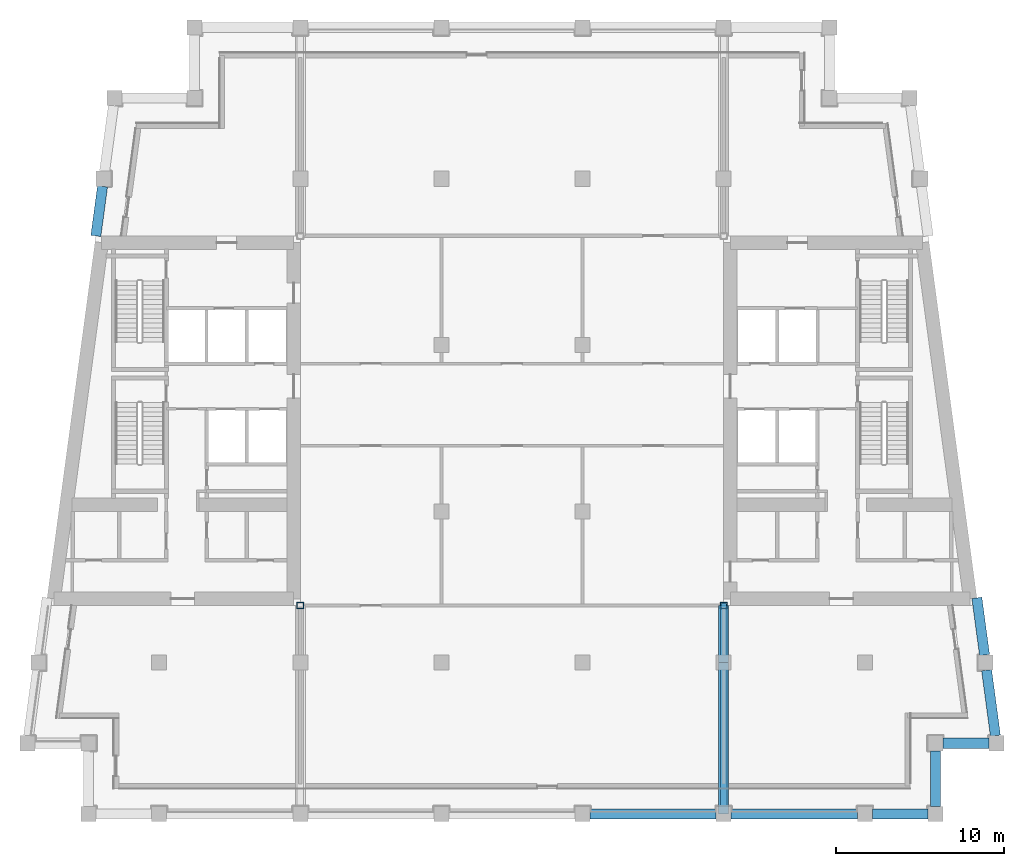
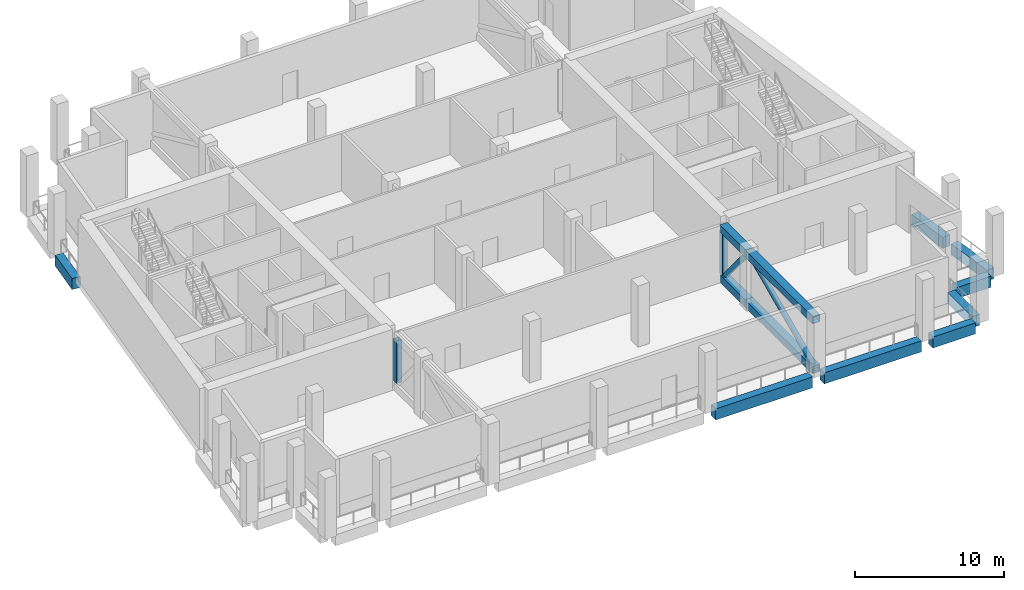
# One storey, part 2 of 11: 8 beams, 8 members.
"""IFC4 building model written with IfcOpenShell, lengths in metres."""

from ifc_helpers import new_model, si_unit, direction, frame, origin, origin_2d, place, context, subcontext, project, spatial, rectangle, hollow_rectangle, hollow_circle, extrude, material, material_profile, profile_set, type_object, element, save


model = new_model("IFC4")

# Units and contexts
model_context = context("Model", 3, precision=1e-05, world=origin(), true_north=direction((0.0, 1.0)))
body_context = subcontext(model_context, "Body", "Model", "MODEL_VIEW")
ifc_project = project(units=[si_unit("LENGTHUNIT", "METRE"), si_unit("AREAUNIT", "SQUARE_METRE"), si_unit("VOLUMEUNIT", "CUBIC_METRE"), si_unit("PLANEANGLEUNIT", "RADIAN"), si_unit("MASSUNIT", "GRAM", prefix="KILO")], contexts=[model_context])

# Site, building, storey
site_placement = place(None, origin())
site = spatial("IfcSite", under=ifc_project, at=site_placement, CompositionType="ELEMENT")
building_placement = place(site_placement, origin())
building = spatial("IfcBuilding", under=site, at=building_placement, Name="Candeia Pilgrim Tower and Theatre", CompositionType="ELEMENT")
storey_placement = place(building_placement, frame((0.0, 0.0, 254.0)))
storey = spatial("IfcBuildingStorey", under=building, at=storey_placement, Name="L61", CompositionType="ELEMENT", Elevation=254.0)

# Members
ifc_material_1 = material(Name="Structural steel ASTM A572 Grade 50", Category="steel")
ifc_material_profile_1 = material_profile(ifc_material_1, hollow_rectangle(XDim=0.39990234375, YDim=0.39990234375, WallThickness=0.02490234375, at=origin_2d()))
ifc_profile_set_1 = profile_set([ifc_material_profile_1], Name="Structural steel ASTM A572 Grade 50")
member_type_1 = type_object("IfcMemberType", Name="BOX 400x400x25 post", PredefinedType="POST", material=ifc_profile_set_1)
for number, where, z_axis, x_axis, name in (
    (1, (100.800048828125, 110.39990234375, 0.60009765625), (0.0, 0.0, 1.0), (1.0, 0.0, 0.0), "Outrigger truss post TO2SL61"),
    (2, (126.0, 110.39990234375, 0.60009765625), (0.0, 0.0, 1.0), (1.0, 0.0, 0.0), "Outrigger truss post TO5SL61"),
):
    element("IfcMember", number, at=place(storey_placement, frame(where, z_axis=z_axis, x_axis=x_axis)), inside=storey, type_object=member_type_1, Name=name, PredefinedType="POST", context=body_context, shape_type="SweptSolid", body=[
        extrude(hollow_rectangle(XDim=0.39990234375, YDim=0.39990234375, WallThickness=0.02490234375, at=origin_2d()), origin(), (0.0, 0.0, 1.0), 3.47998046875),
    ])
ifc_material_profile_2 = material_profile(ifc_material_1, hollow_rectangle(XDim=0.60009765625, YDim=0.60009765625, WallThickness=0.0400390625, at=origin_2d()))
ifc_profile_set_2 = profile_set([ifc_material_profile_2], Name="Structural steel ASTM A572 Grade 50")
member_type_2 = type_object("IfcMemberType", Name="BOX 600x600x40 chord", PredefinedType="CHORD", material=ifc_profile_set_2)
for number, where, z_axis, x_axis, name in (
    (3, (126.0, 110.39990234375, 0.300048828125), (0.0, -1.0, 0.0), (1.0, 0.0, 0.0), "Outrigger truss bottom chord TO5SL61"),
    (4, (126.0, 110.39990234375, 4.3798828125), (0.0, -1.0, 0.0), (1.0, 0.0, 0.0), "Outrigger truss top chord TO5SL61"),
):
    element("IfcMember", number, at=place(storey_placement, frame(where, z_axis=z_axis, x_axis=x_axis)), inside=storey, type_object=member_type_2, Name=name, PredefinedType="CHORD", context=body_context, shape_type="SweptSolid", body=[
        extrude(hollow_rectangle(XDim=0.60009765625, YDim=0.60009765625, WallThickness=0.0400390625, at=origin_2d()), origin(), (0.0, 0.0, 1.0), 3.39990234375),
    ])
for number, where, z_axis, x_axis, name in (
    (5, (126.0, 107.0, 0.300048828125), (0.0, -1.0, 0.0), (1.0, 0.0, 0.0), "Outrigger truss bottom chord TO5SL61"),
    (6, (126.0, 107.0, 4.3798828125), (0.0, -1.0, 0.0), (1.0, 0.0, 0.0), "Outrigger truss top chord TO5SL61"),
):
    element("IfcMember", number, at=place(storey_placement, frame(where, z_axis=z_axis, x_axis=x_axis)), inside=storey, type_object=member_type_2, Name=name, PredefinedType="CHORD", context=body_context, shape_type="SweptSolid", body=[
        extrude(hollow_rectangle(XDim=0.60009765625, YDim=0.60009765625, WallThickness=0.0400390625, at=origin_2d()), origin(), (0.0, 0.0, 1.0), 9.0),
    ])
ifc_material_profile_3 = material_profile(ifc_material_1, hollow_circle(Radius=0.203125, WallThickness=0.01611328125, at=origin_2d()))
ifc_profile_set_3 = profile_set([ifc_material_profile_3], Name="Structural steel ASTM A572 Grade 50")
member_type_3 = type_object("IfcMemberType", Name="CHS 406x16 brace", PredefinedType="BRACE", material=ifc_profile_set_3)
member_1_placement = place(storey_placement, frame((126.0, 110.39990234375, 0.300048828125), z_axis=(0.0, -0.640188921368, 0.768217511488), x_axis=(1.0, 0.0, 0.0)))
element("IfcMember", 7, at=member_1_placement, inside=storey, type_object=member_type_3, Name="Outrigger truss diagonal TO5SL61", PredefinedType="BRACE", context=body_context, shape_type="SweptSolid", body=[
    extrude(hollow_circle(Radius=0.203125, WallThickness=0.01611328125, at=origin_2d()), origin(), (0.0, 0.0, 1.0), 5.310791015625),
])
member_2_placement = place(storey_placement, frame((126.0, 98.0, 0.300048828125), z_axis=(0.0, 0.910788217597, 0.41287385808), x_axis=(-1.0, 0.0, 0.0)))
element("IfcMember", 8, at=member_2_placement, inside=storey, type_object=member_type_3, Name="Outrigger truss diagonal TO5SL61", PredefinedType="BRACE", context=body_context, shape_type="SweptSolid", body=[
    extrude(hollow_circle(Radius=0.203125, WallThickness=0.01611328125, at=origin_2d()), origin(), (0.0, 0.0, 1.0), 9.881591796875),
])

# Beams
ifc_material_2 = material(Name="Concrete C50/60", Category="concrete")
ifc_material_profile_4 = material_profile(ifc_material_2, rectangle(XDim=0.60009765625, YDim=0.89990234375, at=origin_2d()))
ifc_profile_set_4 = profile_set([ifc_material_profile_4], Name="Concrete C50/60")
beam_type = type_object("IfcBeamType", Name="RC 600x900 C50/60", PredefinedType="BEAM", material=ifc_profile_set_4)
for number, where, z_axis, x_axis, name in (
    (9, (118.050048828125, 98.0, -0.449951171875), (1.0, 0.0, 0.0), (0.0, 1.0, 0.0), "Spandrel beam L61-05"),
    (10, (126.449951171875, 98.0, -0.449951171875), (1.0, 0.0, 0.0), (0.0, 1.0, 0.0), "Spandrel beam L61-06"),
):
    element("IfcBeam", number, at=place(storey_placement, frame(where, z_axis=z_axis, x_axis=x_axis)), inside=storey, type_object=beam_type, Name=name, PredefinedType="BEAM", context=body_context, shape_type="SweptSolid", body=[
        extrude(rectangle(XDim=0.60009765625, YDim=0.89990234375, at=origin_2d()), origin(), (0.0, 0.0, 1.0), 7.5),
    ])
beam_1_placement = place(storey_placement, frame((134.85009765625, 98.0, -0.449951171875), z_axis=(1.0, 0.0, 0.0), x_axis=(0.0, 1.0, 0.0)))
element("IfcBeam", 11, at=beam_1_placement, inside=storey, type_object=beam_type, Name="Spandrel beam L61-07", PredefinedType="BEAM", context=body_context, shape_type="SweptSolid", body=[
    extrude(rectangle(XDim=0.60009765625, YDim=0.89990234375, at=origin_2d()), origin(), (0.0, 0.0, 1.0), 3.2998046875),
])
beam_2_placement = place(storey_placement, frame((138.60009765625, 98.449951171875, -0.449951171875), z_axis=(0.0, 1.0, 0.0), x_axis=(-1.0, 0.0, 0.0)))
element("IfcBeam", 12, at=beam_2_placement, inside=storey, type_object=beam_type, Name="Spandrel beam L61-08", PredefinedType="BEAM", context=body_context, shape_type="SweptSolid", body=[
    extrude(rectangle(XDim=0.60009765625, YDim=0.89990234375, at=origin_2d()), origin(), (0.0, 0.0, 1.0), 3.300048828125),
])
beam_3_placement = place(storey_placement, frame((139.050048828125, 102.199951171875, -0.449951171875), z_axis=(1.0, 0.0, 0.0), x_axis=(0.0, 1.0, 0.0)))
element("IfcBeam", 13, at=beam_3_placement, inside=storey, type_object=beam_type, Name="Spandrel beam L61-09", PredefinedType="BEAM", context=body_context, shape_type="SweptSolid", body=[
    extrude(rectangle(XDim=0.60009765625, YDim=0.89990234375, at=origin_2d()), origin(), (0.0, 0.0, 1.0), 2.734619140625),
])
beam_4_placement = place(storey_placement, frame((142.174072265625, 102.64990234375, -0.449951171875), z_axis=(-0.133443650757, 0.991056402064, 0.0), x_axis=(-0.991056402064, -0.133443650757, 0.0)))
element("IfcBeam", 14, at=beam_4_placement, inside=storey, type_object=beam_type, Name="Spandrel beam L61-10", PredefinedType="BEAM", context=body_context, shape_type="SweptSolid", body=[
    extrude(rectangle(XDim=0.60009765625, YDim=0.89990234375, at=origin_2d()), origin(), (0.0, 0.0, 1.0), 3.935302734375),
])
beam_5_placement = place(storey_placement, frame((141.52783203125, 107.449951171875, -0.449951171875), z_axis=(-0.133374411439, 0.99106572253, 0.0), x_axis=(-0.99106572253, -0.133374411439, 0.0)))
element("IfcBeam", 15, at=beam_5_placement, inside=storey, type_object=beam_type, Name="Spandrel beam L61-11", PredefinedType="BEAM", context=body_context, shape_type="SweptSolid", body=[
    extrude(rectangle(XDim=0.60009765625, YDim=0.89990234375, at=origin_2d()), origin(), (0.0, 0.0, 1.0), 3.43408203125),
])
beam_6_placement = place(storey_placement, frame((89.02783203125, 135.35009765625, -0.449951171875), z_axis=(-0.133356242983, -0.991068167412, 0.0), x_axis=(0.991068167412, -0.133356242983, 0.0)))
element("IfcBeam", 16, at=beam_6_placement, inside=storey, type_object=beam_type, Name="Spandrel beam L61-24", PredefinedType="BEAM", context=body_context, shape_type="SweptSolid", body=[
    extrude(rectangle(XDim=0.60009765625, YDim=0.89990234375, at=origin_2d()), origin(), (0.0, 0.0, 1.0), 2.976806640625),
])

save(model, "model.ifc")
